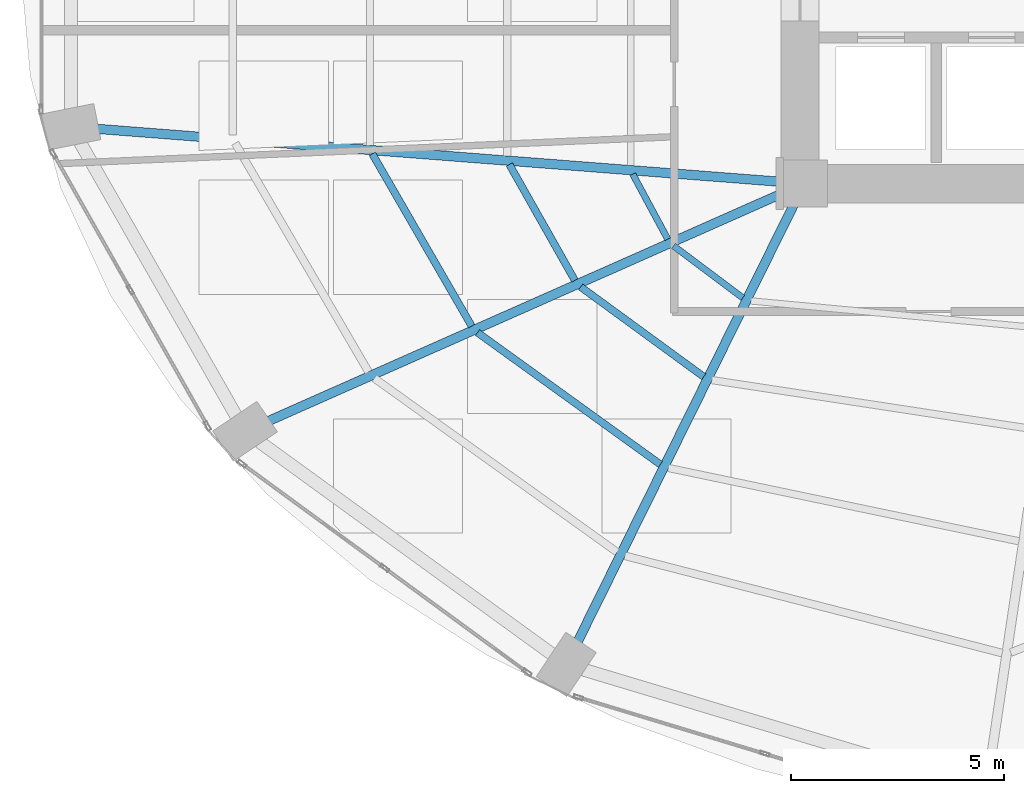
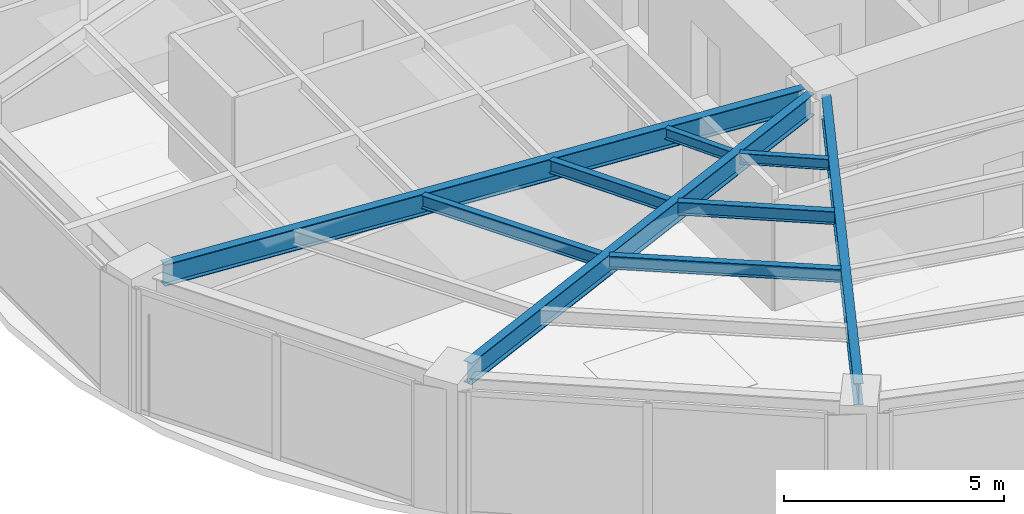
# One storey, part 4 of 24: 9 beams.
"""IFC4 building model written with IfcOpenShell, lengths in metres."""

from ifc_helpers import new_model, si_unit, direction, frame, origin, origin_2d, place, context, subcontext, project, spatial, i_section, extrude, material, material_profile, profile_set, type_object, element, save


model = new_model("IFC4")

# Units and contexts
model_context = context("Model", 3, precision=1e-05, world=origin(), true_north=direction((0.0, 1.0)))
body_context = subcontext(model_context, "Body", "Model", "MODEL_VIEW")
ifc_project = project(units=[si_unit("LENGTHUNIT", "METRE"), si_unit("AREAUNIT", "SQUARE_METRE"), si_unit("VOLUMEUNIT", "CUBIC_METRE"), si_unit("PLANEANGLEUNIT", "RADIAN"), si_unit("MASSUNIT", "GRAM", prefix="KILO")], contexts=[model_context])

# Site, building, storey
site_placement = place(None, origin())
site = spatial("IfcSite", under=ifc_project, at=site_placement, CompositionType="ELEMENT")
building_placement = place(site_placement, origin())
building = spatial("IfcBuilding", under=site, at=building_placement, Name="Lazwardi Medical Tower", CompositionType="ELEMENT")
storey_placement = place(building_placement, frame((0.0, 0.0, 39.7919921875)))
storey = spatial("IfcBuildingStorey", under=building, at=storey_placement, Name="L09", CompositionType="ELEMENT", Elevation=39.7919921875)

# Beams
ifc_material = material(Name="Steel S355", Category="steel")
ifc_material_profile_1 = material_profile(ifc_material, i_section(OverallWidth=0.219970703125, OverallDepth=0.60009765625, WebThickness=0.011962890625, FlangeThickness=0.01904296875, at=origin_2d()), Name="IPE 600")
ifc_profile_set_1 = profile_set([ifc_material_profile_1], Name="Steel S355")
beam_type_1 = type_object("IfcBeamType", Name="BM-RG-W1", PredefinedType="BEAM", material=ifc_profile_set_1)
beam_1_placement = place(storey_placement, frame((9.7783203125, 21.6875, 3.1279296875), z_axis=(0.997013942066, -0.077221754231, 0.0), x_axis=(0.077221754231, 0.997013942066, 0.0)))
element("IfcBeam", 1, at=beam_1_placement, inside=storey, type_object=beam_type_1, Name="Radial girder RG-02 R13 L09", PredefinedType="BEAM", context=body_context, shape_type="SweptSolid", body=[
    extrude(i_section(OverallWidth=0.219970703125, OverallDepth=0.60009765625, WebThickness=0.011962890625, FlangeThickness=0.01904296875, at=origin_2d()), origin(), (0.0, 0.0, 1.0), 16.136474609375),
])
beam_2_placement = place(storey_placement, frame((13.810302734375, 14.82080078125, 3.1279296875), z_axis=(0.914252189566, 0.405145571214, 0.0), x_axis=(-0.405145571214, 0.914252189566, 0.0)))
element("IfcBeam", 2, at=beam_2_placement, inside=storey, type_object=beam_type_1, Name="Radial girder RG-02 R14 L09", PredefinedType="BEAM", context=body_context, shape_type="SweptSolid", body=[
    extrude(i_section(OverallWidth=0.219970703125, OverallDepth=0.60009765625, WebThickness=0.011962890625, FlangeThickness=0.01904296875, at=origin_2d()), origin(), (0.0, 0.0, 1.0), 13.235595703125),
])
beam_3_placement = place(storey_placement, frame((21.076171875, 9.635986328125, 3.1279296875), z_axis=(0.443336723706, 0.896355146922, 0.0), x_axis=(-0.896355146922, 0.443336723706, 0.0)))
element("IfcBeam", 3, at=beam_3_placement, inside=storey, type_object=beam_type_1, Name="Radial girder RG-02 R15 L09", PredefinedType="BEAM", context=body_context, shape_type="SweptSolid", body=[
    extrude(i_section(OverallWidth=0.219970703125, OverallDepth=0.60009765625, WebThickness=0.011962890625, FlangeThickness=0.01904296875, at=origin_2d()), origin(), (0.0, 0.0, 1.0), 11.4736328125),
])
ifc_material_profile_2 = material_profile(ifc_material, i_section(OverallWidth=0.169921875, OverallDepth=0.360107421875, WebThickness=0.008056640625, FlangeThickness=0.0126953125, at=origin_2d()), Name="IPE 360")
ifc_profile_set_2 = profile_set([ifc_material_profile_2], Name="Steel S355")
beam_type_2 = type_object("IfcBeamType", Name="BM-SJ-02", PredefinedType="JOIST", material=ifc_profile_set_2)
beam_4_placement = place(storey_placement, frame((16.26611328125, 21.09814453125, 3.248046875), z_axis=(0.499785866494, -0.866148998529, 0.0), x_axis=(0.866148998529, 0.499785866494, 0.0)))
element("IfcBeam", 4, at=beam_4_placement, inside=storey, type_object=beam_type_2, Name="Secondary joist SJ-02 R2 B13 L09", PredefinedType="JOIST", context=body_context, shape_type="SweptSolid", body=[
    extrude(i_section(OverallWidth=0.169921875, OverallDepth=0.360107421875, WebThickness=0.008056640625, FlangeThickness=0.0126953125, at=origin_2d()), origin(), (0.0, 0.0, 1.0), 4.666015625),
])
beam_5_placement = place(storey_placement, frame((18.73583984375, 16.904296875, 3.248046875), z_axis=(0.811142764961, -0.584848198127, 0.0), x_axis=(0.584848198127, 0.811142764961, 0.0)))
element("IfcBeam", 5, at=beam_5_placement, inside=storey, type_object=beam_type_2, Name="Secondary joist SJ-02 R2 B14 L09", PredefinedType="JOIST", context=body_context, shape_type="SweptSolid", body=[
    extrude(i_section(OverallWidth=0.169921875, OverallDepth=0.360107421875, WebThickness=0.008056640625, FlangeThickness=0.0126953125, at=origin_2d()), origin(), (0.0, 0.0, 1.0), 5.28857421875),
])
beam_6_placement = place(storey_placement, frame((19.48291015625, 20.848388671875, 3.248046875), z_axis=(0.491923287977, -0.870638546554, 0.0), x_axis=(0.870638546554, 0.491923287977, 0.0)))
element("IfcBeam", 6, at=beam_6_placement, inside=storey, type_object=beam_type_2, Name="Secondary joist SJ-02 R3 B13 L09", PredefinedType="JOIST", context=body_context, shape_type="SweptSolid", body=[
    extrude(i_section(OverallWidth=0.169921875, OverallDepth=0.360107421875, WebThickness=0.008056640625, FlangeThickness=0.0126953125, at=origin_2d()), origin(), (0.0, 0.0, 1.0), 3.122802734375),
])
beam_7_placement = place(storey_placement, frame((21.155517578125, 17.976318359375, 3.248046875), z_axis=(0.80770129933, -0.589591902132, 0.0), x_axis=(0.589591902132, 0.80770129933, 0.0)))
element("IfcBeam", 7, at=beam_7_placement, inside=storey, type_object=beam_type_2, Name="Secondary joist SJ-02 R3 B14 L09", PredefinedType="JOIST", context=body_context, shape_type="SweptSolid", body=[
    extrude(i_section(OverallWidth=0.169921875, OverallDepth=0.360107421875, WebThickness=0.008056640625, FlangeThickness=0.0126953125, at=origin_2d()), origin(), (0.0, 0.0, 1.0), 3.5751953125),
])
ifc_material_profile_3 = material_profile(ifc_material, i_section(OverallWidth=0.14990234375, OverallDepth=0.300048828125, WebThickness=0.007080078125, FlangeThickness=0.0107421875, at=origin_2d()), Name="IPE 300")
ifc_profile_set_3 = profile_set([ifc_material_profile_3], Name="Steel S355")
beam_type_3 = type_object("IfcBeamType", Name="BM-SJ-03", PredefinedType="JOIST", material=ifc_profile_set_3)
beam_8_placement = place(storey_placement, frame((22.376953125, 20.623046875, 3.278076171875), z_axis=(0.473982292828, -0.880534375301, 0.0), x_axis=(0.880534375301, 0.473982292828, 0.0)))
element("IfcBeam", 8, at=beam_8_placement, inside=storey, type_object=beam_type_3, Name="Secondary joist SJ-03 R4 B13 L09", PredefinedType="JOIST", context=body_context, shape_type="SweptSolid", body=[
    extrude(i_section(OverallWidth=0.14990234375, OverallDepth=0.300048828125, WebThickness=0.007080078125, FlangeThickness=0.0107421875, at=origin_2d()), origin(), (0.0, 0.0, 1.0), 1.734375),
])
beam_9_placement = place(storey_placement, frame((23.332763671875, 18.9404296875, 3.278076171875), z_axis=(0.800115247939, -0.599846305328, 0.0), x_axis=(0.599846305328, 0.800115247939, 0.0)))
element("IfcBeam", 9, at=beam_9_placement, inside=storey, type_object=beam_type_3, Name="Secondary joist SJ-03 R4 B14 L09", PredefinedType="JOIST", context=body_context, shape_type="SweptSolid", body=[
    extrude(i_section(OverallWidth=0.14990234375, OverallDepth=0.300048828125, WebThickness=0.007080078125, FlangeThickness=0.0107421875, at=origin_2d()), origin(), (0.0, 0.0, 1.0), 2.033447265625),
])

save(model, "model.ifc")
